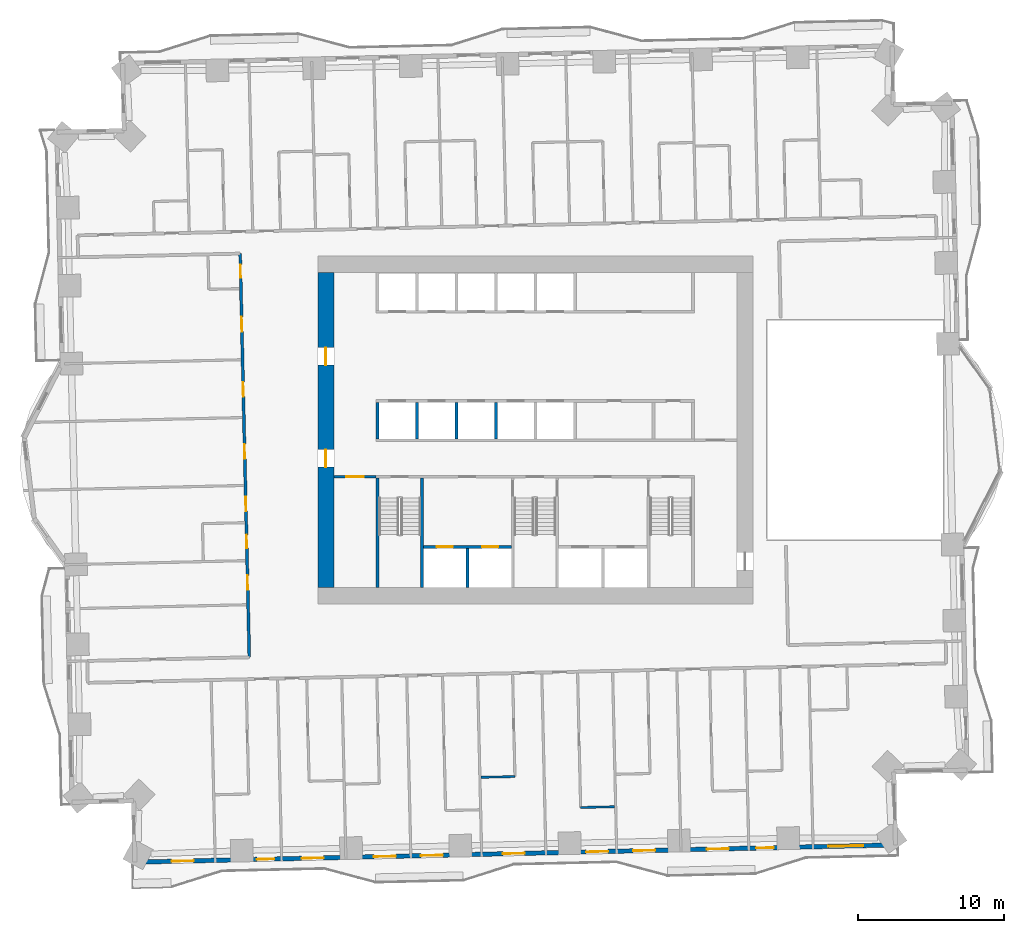
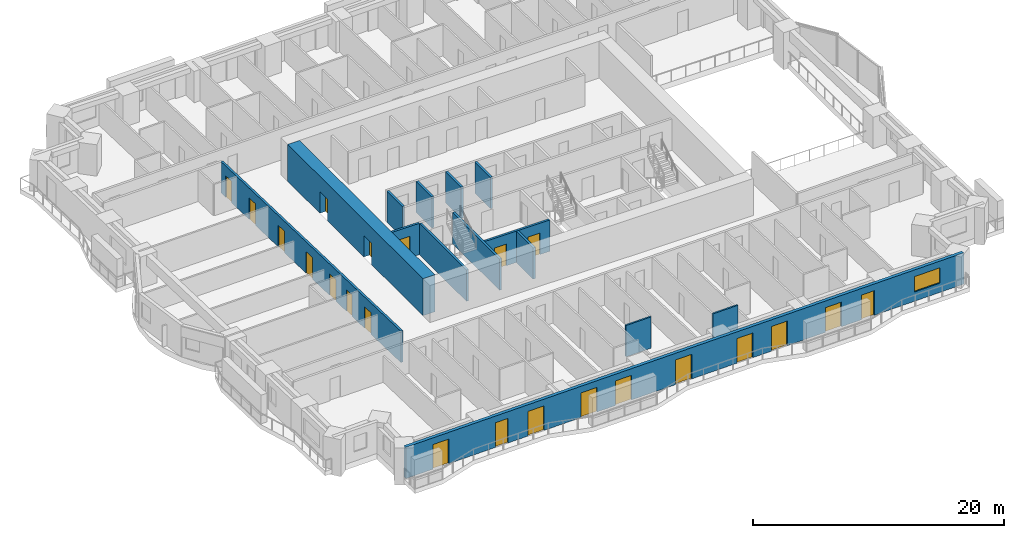
# One storey, part 6 of 16: 22 doors, 14 walls, 1 window, 23 openings.
"""IFC4 building model written with IfcOpenShell, lengths in metres."""

import ifcopenshell
import ifcopenshell.guid

model = None  # the IFC model being written
_history = None  # IfcOwnerHistory: only IFC2X3 demands one
_inside = {}  # id of a spatial element -> (the spatial element, [elements in it])
_under = {}  # id of a project, library or spatial element -> (it, [spatial elements below it])
_declared = {}  # id of a project -> (the project, [libraries it declares])
_typed = {}  # id of a type object -> (the type object, [elements of that type])
_made_of = {}  # id of a material, layer set ... -> (it, [elements and type objects made of it])


def new_model(schema):
    """Start an empty IFC model of exactly this schema.

    Asked for "IFC4X3", IfcOpenShell would pick the latest addendum, in which some entities
    have other attributes; the version numbers below select the first issue.
    IFC2X3 requires an IfcOwnerHistory on every rooted entity: one is made here for all.
    """
    global model, _history
    if schema == "IFC4X3":
        model = ifcopenshell.file(schema_version=(4, 3, 0, 0))
    else:
        model = ifcopenshell.file(schema=schema)
    _inside.clear()
    _under.clear()
    _declared.clear()
    _typed.clear()
    _made_of.clear()
    _history = None
    if model.schema == "IFC2X3":
        org = make("IfcOrganization", Name="unknown")
        user = make(
            "IfcPersonAndOrganization",
            ThePerson=make("IfcPerson", FamilyName="unknown"),
            TheOrganization=org,
        )
        app = make(
            "IfcApplication",
            ApplicationDeveloper=org,
            Version="unknown",
            ApplicationFullName="unknown",
            ApplicationIdentifier="unknown",
        )
        _history = make(
            "IfcOwnerHistory",
            OwningUser=user,
            OwningApplication=app,
            ChangeAction="ADDED",
            CreationDate=0,
        )
    return model


def make(cls, **values):
    """One entity of the class cls with the attributes given. An attribute that is None is left unset."""
    return model.create_entity(
        cls, **{name: value for name, value in values.items() if value is not None}
    )


def rooted(cls, **values):
    """An entity with a GlobalId (a new one), such as an element, a storey or a relation."""
    return make(cls, GlobalId=ifcopenshell.guid.new(), OwnerHistory=_history, **values)


def si_unit(unit_type, name, prefix=None):
    """IfcSIUnit, for example si_unit("LENGTHUNIT", "METRE", prefix="MILLI")."""
    return make("IfcSIUnit", UnitType=unit_type, Prefix=prefix, Name=name)


def assignment(units):
    """IfcUnitAssignment: the units of a project."""
    return None if units is None else make("IfcUnitAssignment", Units=units)


def point(xyz):
    """IfcCartesianPoint."""
    return None if xyz is None else make("IfcCartesianPoint", Coordinates=xyz)


def direction(xyz):
    """IfcDirection."""
    return None if xyz is None else make("IfcDirection", DirectionRatios=xyz)


def frame(location, z_axis=None, x_axis=None):
    """IfcAxis2Placement3D, a coordinate frame: its origin and axes. An axis left out is left unset."""
    return make(
        "IfcAxis2Placement3D",
        Location=point(location),
        Axis=direction(z_axis),
        RefDirection=direction(x_axis),
    )


def frame_2d(location, x_axis=None):
    """IfcAxis2Placement2D, a coordinate frame in the plane: its origin and x axis."""
    return make(
        "IfcAxis2Placement2D", Location=point(location), RefDirection=direction(x_axis)
    )


def origin():
    """The frame at (0, 0, 0) with its axes left unset."""
    return frame((0.0, 0.0, 0.0))


def place(relative_to, where):
    """IfcLocalPlacement: puts the frame where relative to a parent placement (None: the world)."""
    return make(
        "IfcLocalPlacement", PlacementRelTo=relative_to, RelativePlacement=where
    )


def context(
    kind, dimensions, precision=None, world=None, true_north=None, identifier=None
):
    """IfcGeometricRepresentationContext, for example the 3D "Model" context."""
    return make(
        "IfcGeometricRepresentationContext",
        ContextIdentifier=identifier,
        ContextType=kind,
        CoordinateSpaceDimension=dimensions,
        Precision=precision,
        WorldCoordinateSystem=world,
        TrueNorth=true_north,
    )


def subcontext(parent, identifier, kind, view, scale=None):
    """IfcGeometricRepresentationSubContext, for example "Body" below "Model"."""
    return make(
        "IfcGeometricRepresentationSubContext",
        ContextIdentifier=identifier,
        ContextType=kind,
        ParentContext=parent,
        TargetScale=scale,
        TargetView=view,
    )


def project(units=None, contexts=None):
    """IfcProject with its units and contexts."""
    return rooted(
        "IfcProject",
        Name="project",
        RepresentationContexts=contexts,
        UnitsInContext=assignment(units),
    )


def spatial(cls, under=None, at=None, **own):
    """A site, building, storey or space (cls), placed at a placement, below another one or the project."""
    s = rooted(cls, ObjectPlacement=at, **own)
    if under is not None:
        _under.setdefault(under.id(), (under, []))[1].append(s)
    return s


def profile(cls, at=None, kind="AREA", **sizes):
    """A parametric profile (cls). Its sizes go by their IFC names, for example OverallWidth=200.0."""
    return make(cls, ProfileType=kind, Position=at, **sizes)


def rectangle(**sizes):
    """IfcRectangleProfileDef."""
    return profile("IfcRectangleProfileDef", **sizes)


def extrude(swept, where, along, depth):
    """IfcExtrudedAreaSolid: the profile swept, set in the frame where, extruded along a direction by depth."""
    return make(
        "IfcExtrudedAreaSolid",
        SweptArea=swept,
        Position=where,
        ExtrudedDirection=direction(along),
        Depth=depth,
    )


def shape(context_of_items, identifier, shape_type, items):
    """IfcShapeRepresentation: the items that make up one representation, for example the "Body"."""
    return make(
        "IfcShapeRepresentation",
        ContextOfItems=context_of_items,
        RepresentationIdentifier=identifier,
        RepresentationType=shape_type,
        Items=items,
    )


def material(Name=None, Category=None):
    """IfcMaterial."""
    return make("IfcMaterial", Name=Name, Category=Category)


def layer(
    of_material, thickness, ventilated=None, Name=None, Category=None, Priority=None
):
    """IfcMaterialLayer: one layer of a wall or slab, of a material (None: an air gap)."""
    return make(
        "IfcMaterialLayer",
        Material=of_material,
        LayerThickness=thickness,
        IsVentilated=ventilated,
        Name=Name,
        Category=Category,
        Priority=Priority,
    )


def layer_set(layers, Name=None):
    """IfcMaterialLayerSet."""
    return make("IfcMaterialLayerSet", MaterialLayers=layers, LayerSetName=Name)


def made_of(thing, what):
    """Note that an element or type object is made of a material, layer set ...; save() writes the relation."""
    if what is not None:
        _made_of.setdefault(what.id(), (what, []))[1].append(thing)
    return thing


def type_object(cls, material=None, **own):
    """A type object (cls), such as IfcWallType, which elements share."""
    return made_of(rooted(cls, **own), material)


def element(
    cls,
    number,
    at=None,
    inside=None,
    cuts=None,
    type_object=None,
    material=None,
    context=None,
    identifier="Body",
    shape_type=None,
    held_by="IfcProductDefinitionShape",
    body=None,
    shapes=None,
    **own,
):
    """One element of the class cls, such as IfcWall. Its Tag is "e" and its number.

    at: its placement. inside: the storey or other place that contains it. cuts: it is an
    opening in that element (IfcRelVoidsElement). A single representation is given by context,
    identifier, shape_type and body (its items); several are given by shapes. held_by: the class
    of the entity that holds the representations. save() writes the other relations.
    """
    e = rooted(cls, Tag="e%d" % number, ObjectPlacement=at, **own)
    if body is not None:
        shapes = [shape(context, identifier, shape_type, body)]
    if shapes is not None:
        e.Representation = make(held_by, Representations=shapes)
    if inside is not None:
        _inside.setdefault(inside.id(), (inside, []))[1].append(e)
    if cuts is not None:
        rooted(
            "IfcRelVoidsElement", RelatingBuildingElement=cuts, RelatedOpeningElement=e
        )
    if type_object is not None:
        _typed.setdefault(type_object.id(), (type_object, []))[1].append(e)
    return made_of(e, material)


def fill(opening, filler):
    """IfcRelFillsElement: the door or window that sits in an opening."""
    return rooted(
        "IfcRelFillsElement",
        RelatingOpeningElement=opening,
        RelatedBuildingElement=filler,
    )


def aggregate(whole, parts):
    """IfcRelAggregates: a whole, such as a stair, and the parts it consists of."""
    return rooted("IfcRelAggregates", RelatingObject=whole, RelatedObjects=parts)


def save(model, path):
    """Write the relations noted so far, then the file.

    IfcRelAggregates (storeys below a building ...), IfcRelContainedInSpatialStructure (elements
    in a storey), IfcRelDefinesByType, IfcRelAssociatesMaterial and IfcRelDeclares: one each for
    every whole, place, type object, material and project.
    """
    for whole, parts in _under.values():
        aggregate(whole, parts)
    for where, things in _inside.values():
        rooted(
            "IfcRelContainedInSpatialStructure",
            RelatedElements=things,
            RelatingStructure=where,
        )
    for kind, things in _typed.values():
        rooted("IfcRelDefinesByType", RelatedObjects=things, RelatingType=kind)
    for what, things in _made_of.values():
        rooted("IfcRelAssociatesMaterial", RelatedObjects=things, RelatingMaterial=what)
    for by, libraries in _declared.values():
        rooted("IfcRelDeclares", RelatingContext=by, RelatedDefinitions=libraries)
    model.write(path)


model = new_model("IFC4")

# Units and contexts
model_context = context("Model", 3, precision=1e-05, world=origin(), true_north=direction((0.0, 1.0)))
body_context = subcontext(model_context, "Body", "Model", "MODEL_VIEW")
ifc_project = project(units=[si_unit("LENGTHUNIT", "METRE"), si_unit("AREAUNIT", "SQUARE_METRE"), si_unit("VOLUMEUNIT", "CUBIC_METRE"), si_unit("PLANEANGLEUNIT", "RADIAN"), si_unit("MASSUNIT", "GRAM", prefix="KILO")], contexts=[model_context])

# Site, building, storey
site_placement = place(None, origin())
site = spatial("IfcSite", under=ifc_project, at=site_placement, CompositionType="ELEMENT")
building_placement = place(site_placement, origin())
building = spatial("IfcBuilding", under=site, at=building_placement, Name="Mangrove Gate Tower", CompositionType="ELEMENT")
storey_placement = place(building_placement, frame((0.0, 0.0, 41.300048828125)))
storey = spatial("IfcBuildingStorey", under=building, at=storey_placement, Name="L09", CompositionType="ELEMENT", Elevation=41.300048828125)

# Wall, opening, door
ifc_material_1 = material(Name="Concrete C32/40", Category="concrete")
ifc_layer_1 = layer(ifc_material_1, 0.199951171875)
ifc_layer_set_1 = layer_set([ifc_layer_1], Name="Core lobby wall 200 C32/40")
wall_type_1 = type_object("IfcWallType", Name="Core lobby wall 200 C32/40", PredefinedType="STANDARD", material=ifc_layer_set_1)
wall_1_placement = place(storey_placement, frame((-13.800048828125, -3.199951171875, 0.0), z_axis=(0.0, 0.0, 1.0), x_axis=(1.0, 0.0, 0.0)))
wall_1 = element("IfcWall", 1, at=wall_1_placement, inside=storey, type_object=wall_type_1, Name="WALL-L09-CORE-34", PredefinedType="STANDARD", context=body_context, shape_type="SweptSolid", body=[
    extrude(rectangle(XDim=2.900146484375, YDim=0.199951171875, at=frame_2d((1.4501953125, 0.0))), origin(), (0.0, 0.0, 1.0), 3.050048828125),
])
opening_1_placement = place(wall_1_placement, frame((0.85009765625, 0.0, 0.0)))
opening_1 = element("IfcOpeningElement", 2, at=opening_1_placement, cuts=wall_1, Name="Opening FL12", PredefinedType="OPENING", context=body_context, shape_type="SweptSolid", body=[
    extrude(rectangle(XDim=1.199951171875, YDim=2.10009765625, at=frame_2d((0.60009765625, 1.050048828125))), frame((0.0, 0.10986328125, 0.0), z_axis=(0.0, -1.0, 0.0), x_axis=(1.0, 0.0, 0.0)), (0.0, 0.0, 1.0), 0.219970703125),
])
ifc_material_2 = material(Name="Fire-rated steel door set", Category="steel")
door_type_1 = type_object("IfcDoorType", Name="Lobby door FD60 1200x2100", OperationType="SINGLE_SWING_LEFT", PredefinedType="DOOR", material=ifc_material_2)
door_1_placement = place(opening_1_placement, origin())
door_1 = element("IfcDoor", 3, at=door_1_placement, inside=storey, type_object=door_type_1, Name="Lobby door core corridor W partition", OperationType="SINGLE_SWING_LEFT", OverallHeight=2.10009765625, OverallWidth=1.199951171875, PredefinedType="DOOR", context=body_context, shape_type="SweptSolid", body=[
    extrude(rectangle(XDim=1.199951171875, YDim=2.10009765625, at=frame_2d((0.60009765625, 1.050048828125))), frame((0.0, 0.02490234375, 0.0), z_axis=(0.0, -1.0, 0.0), x_axis=(1.0, 0.0, 0.0)), (0.0, 0.0, 1.0), 0.050048828125),
])
fill(opening_1, door_1)

# Wall, openings, doors
ifc_material_3 = material(Name="Concrete C70/85", Category="concrete")
ifc_layer_2 = layer(ifc_material_3, 0.199951171875)
ifc_layer_set_2 = layer_set([ifc_layer_2], Name="Core shaft wall 200 C70/85")
wall_type_2 = type_object("IfcWallType", Name="Core shaft wall 200 C70/85", PredefinedType="SHEAR", material=ifc_layer_set_2)
wall_2_placement = place(storey_placement, frame((-7.64990234375, -8.0, 0.0), z_axis=(0.0, 0.0, 1.0), x_axis=(1.0, 0.0, 0.0)))
wall_2 = element("IfcWall", 4, at=wall_2_placement, inside=storey, type_object=wall_type_2, Name="WALL-L09-CORE-15", PredefinedType="SHEAR", context=body_context, shape_type="SweptSolid", body=[
    extrude(rectangle(XDim=6.0, YDim=0.199951171875, at=frame_2d((3.0, 0.0))), origin(), (0.0, 0.0, 1.0), 3.050048828125),
])
opening_2_placement = place(wall_2_placement, frame((0.89990234375, 0.0, 0.0)))
opening_2 = element("IfcOpeningElement", 5, at=opening_2_placement, cuts=wall_2, Name="Opening LD", PredefinedType="OPENING", context=body_context, shape_type="SweptSolid", body=[
    extrude(rectangle(XDim=1.10009765625, YDim=2.10009765625, at=frame_2d((0.550048828125, 1.050048828125))), frame((0.0, 0.10986328125, 0.0), z_axis=(0.0, -1.0, 0.0), x_axis=(1.0, 0.0, 0.0)), (0.0, 0.0, 1.0), 0.219970703125),
])
opening_3_placement = place(wall_2_placement, frame((4.0, 0.0, 0.0)))
opening_3 = element("IfcOpeningElement", 6, at=opening_3_placement, cuts=wall_2, Name="Opening LD", PredefinedType="OPENING", context=body_context, shape_type="SweptSolid", body=[
    extrude(rectangle(XDim=1.10009765625, YDim=2.10009765625, at=frame_2d((0.550048828125, 1.050048828125))), frame((0.0, 0.10986328125, 0.0), z_axis=(0.0, -1.0, 0.0), x_axis=(1.0, 0.0, 0.0)), (0.0, 0.0, 1.0), 0.219970703125),
])
ifc_material_4 = material(Name="Stainless steel 316", Category="steel")
door_type_2 = type_object("IfcDoorType", Name="Lift landing door 1100x2100", OperationType="SLIDING_TO_LEFT", PredefinedType="DOOR", material=ifc_material_4)
door_2_placement = place(opening_2_placement, origin())
door_2 = element("IfcDoor", 7, at=door_2_placement, inside=storey, type_object=door_type_2, Name="Landing door LD SVL1", OperationType="SLIDING_TO_LEFT", OverallHeight=2.10009765625, OverallWidth=1.10009765625, PredefinedType="DOOR", context=body_context, shape_type="SweptSolid", body=[
    extrude(rectangle(XDim=1.10009765625, YDim=2.10009765625, at=frame_2d((0.550048828125, 1.050048828125))), frame((0.0, 0.02490234375, 0.0), z_axis=(0.0, -1.0, 0.0), x_axis=(1.0, 0.0, 0.0)), (0.0, 0.0, 1.0), 0.050048828125),
])
fill(opening_2, door_2)
door_3_placement = place(opening_3_placement, origin())
door_3 = element("IfcDoor", 8, at=door_3_placement, inside=storey, type_object=door_type_2, Name="Landing door LD SVL2", OperationType="SLIDING_TO_LEFT", OverallHeight=2.10009765625, OverallWidth=1.10009765625, PredefinedType="DOOR", context=body_context, shape_type="SweptSolid", body=[
    extrude(rectangle(XDim=1.10009765625, YDim=2.10009765625, at=frame_2d((0.550048828125, 1.050048828125))), frame((0.0, 0.02490234375, 0.0), z_axis=(0.0, -1.0, 0.0), x_axis=(1.0, 0.0, 0.0)), (0.0, 0.0, 1.0), 0.050048828125),
])
fill(opening_3, door_3)

# Walls
wall_3_placement = place(storey_placement, frame((-4.64990234375, -10.800048828125, 0.0), z_axis=(0.0, 0.0, 1.0), x_axis=(0.0, 1.0, 0.0)))
element("IfcWall", 9, at=wall_3_placement, inside=storey, type_object=wall_type_2, Name="WALL-L09-CORE-16", PredefinedType="SHEAR", context=body_context, shape_type="SweptSolid", body=[
    extrude(rectangle(XDim=2.699951171875, YDim=0.199951171875, at=frame_2d((1.35009765625, 0.0))), origin(), (0.0, 0.0, 1.0), 3.050048828125),
])
for number, where, z_axis, x_axis, name in (
    (10, (-10.800048828125, -0.60009765625, 0.0), (0.0, 0.0, 1.0), (0.0, 1.0, 0.0), "WALL-L09-CORE-19"),
    (11, (-8.10009765625, -0.60009765625, 0.0), (0.0, 0.0, 1.0), (0.0, 1.0, 0.0), "WALL-L09-CORE-20"),
    (12, (-5.39990234375, -0.60009765625, 0.0), (0.0, 0.0, 1.0), (0.0, 1.0, 0.0), "WALL-L09-CORE-21"),
    (13, (-2.699951171875, -0.60009765625, 0.0), (0.0, 0.0, 1.0), (0.0, 1.0, 0.0), "WALL-L09-CORE-22"),
):
    element("IfcWall", number, at=place(storey_placement, frame(where, z_axis=z_axis, x_axis=x_axis)), inside=storey, type_object=wall_type_2, Name=name, PredefinedType="SHEAR", context=body_context, shape_type="SweptSolid", body=[
        extrude(rectangle(XDim=2.5, YDim=0.199951171875, at=frame_2d((1.25, 0.0))), origin(), (0.0, 0.0, 1.0), 3.050048828125),
    ])
ifc_material_5 = material(Name="Concrete C70/85", Category="concrete")
ifc_layer_3 = layer(ifc_material_5, 0.199951171875)
ifc_layer_set_3 = layer_set([ifc_layer_3], Name="Core stair wall 200 C70/85")
wall_type_3 = type_object("IfcWallType", Name="Core stair wall 200 C70/85", PredefinedType="SHEAR", material=ifc_layer_set_3)
for number, where, z_axis, x_axis, name in (
    (14, (-10.800048828125, -10.800048828125, 0.0), (0.0, 0.0, 1.0), (0.0, 1.0, 0.0), "WALL-L09-CORE-9"),
    (15, (-7.75, -10.800048828125, 0.0), (0.0, 0.0, 1.0), (0.0, 1.0, 0.0), "WALL-L09-CORE-10"),
):
    element("IfcWall", number, at=place(storey_placement, frame(where, z_axis=z_axis, x_axis=x_axis)), inside=storey, type_object=wall_type_3, Name=name, PredefinedType="SHEAR", context=body_context, shape_type="SweptSolid", body=[
        extrude(rectangle(XDim=7.5, YDim=0.199951171875, at=frame_2d((3.75, 0.0))), origin(), (0.0, 0.0, 1.0), 3.050048828125),
    ])

# Wall, openings, doors
ifc_material_6 = material(Name="Concrete C70/85", Category="concrete")
ifc_layer_4 = layer(ifc_material_6, 1.10009765625)
ifc_layer_set_4 = layer_set([ifc_layer_4], Name="Core wall 1100 C70/85")
wall_type_4 = type_object("IfcWallType", Name="Core wall 1100 C70/85", PredefinedType="SHEAR", material=ifc_layer_set_4)
wall_4_placement = place(storey_placement, frame((-14.35009765625, -10.800048828125, 0.0), z_axis=(0.0, 0.0, 1.0), x_axis=(0.0, 1.0, 0.0)))
wall_4 = element("IfcWall", 16, at=wall_4_placement, inside=storey, type_object=wall_type_4, Name="WALL-L09-CORE-3", PredefinedType="SHEAR", context=body_context, shape_type="SweptSolid", body=[
    extrude(rectangle(XDim=21.60009765625, YDim=1.10009765625, at=frame_2d((10.800048828125, 0.0))), origin(), (0.0, 0.0, 1.0), 3.599853515625),
])
opening_4_placement = place(wall_4_placement, frame((8.25, 0.0, 0.0)))
opening_4 = element("IfcOpeningElement", 17, at=opening_4_placement, cuts=wall_4, Name="Opening CD", PredefinedType="OPENING", context=body_context, shape_type="SweptSolid", body=[
    extrude(rectangle(XDim=1.199951171875, YDim=2.10009765625, at=frame_2d((0.60009765625, 1.050048828125))), frame((0.0, 0.56005859375, 0.0), z_axis=(0.0, -1.0, 0.0), x_axis=(1.0, 0.0, 0.0)), (0.0, 0.0, 1.0), 1.1201171875),
])
opening_5_placement = place(wall_4_placement, frame((15.25, 0.0, 0.0)))
opening_5 = element("IfcOpeningElement", 18, at=opening_5_placement, cuts=wall_4, Name="Opening CD", PredefinedType="OPENING", context=body_context, shape_type="SweptSolid", body=[
    extrude(rectangle(XDim=1.199951171875, YDim=2.10009765625, at=frame_2d((0.60009765625, 1.050048828125))), frame((0.0, 0.56005859375, 0.0), z_axis=(0.0, -1.0, 0.0), x_axis=(1.0, 0.0, 0.0)), (0.0, 0.0, 1.0), 1.1201171875),
])
ifc_material_7 = material(Name="Fire-rated steel door set", Category="steel")
door_type_3 = type_object("IfcDoorType", Name="Core ring door FD60 1200x2100", OperationType="DOUBLE_DOOR_SINGLE_SWING", PredefinedType="DOOR", material=ifc_material_7)
door_4_placement = place(opening_4_placement, origin())
door_4 = element("IfcDoor", 19, at=door_4_placement, inside=storey, type_object=door_type_3, Name="Core ring door W1", OperationType="DOUBLE_DOOR_SINGLE_SWING", OverallHeight=2.10009765625, OverallWidth=1.199951171875, PredefinedType="DOOR", context=body_context, shape_type="SweptSolid", body=[
    extrude(rectangle(XDim=1.199951171875, YDim=2.10009765625, at=frame_2d((0.60009765625, 1.050048828125))), frame((0.0, 0.02490234375, 0.0), z_axis=(0.0, -1.0, 0.0), x_axis=(1.0, 0.0, 0.0)), (0.0, 0.0, 1.0), 0.050048828125),
])
fill(opening_4, door_4)
door_5_placement = place(opening_5_placement, origin())
door_5 = element("IfcDoor", 20, at=door_5_placement, inside=storey, type_object=door_type_3, Name="Core ring door W2", OperationType="DOUBLE_DOOR_SINGLE_SWING", OverallHeight=2.10009765625, OverallWidth=1.199951171875, PredefinedType="DOOR", context=body_context, shape_type="SweptSolid", body=[
    extrude(rectangle(XDim=1.199951171875, YDim=2.10009765625, at=frame_2d((0.60009765625, 1.050048828125))), frame((0.0, 0.02490234375, 0.0), z_axis=(0.0, -1.0, 0.0), x_axis=(1.0, 0.0, 0.0)), (0.0, 0.0, 1.0), 0.050048828125),
])
fill(opening_5, door_5)

ifc_material_8 = material(Name="Gypsum board on steel stud, EI 60", Category="steel")
ifc_layer_5 = layer(ifc_material_8, 0.199951171875)
ifc_layer_set_5 = layer_set([ifc_layer_5], Name="Corridor wall EI 60")
wall_type_5 = type_object("IfcWallType", Name="Corridor wall EI 60", PredefinedType="PARTITIONING", material=ifc_layer_set_5)
wall_5_placement = place(storey_placement, frame((-19.589111328125, -15.56201171875, 0.0), z_axis=(0.0, 0.0, 1.0), x_axis=(-0.02267447203, 0.999742901109, 0.0)))
wall_5 = element("IfcWall", 21, at=wall_5_placement, inside=storey, type_object=wall_type_5, Name="WALL-L09-036", PredefinedType="PARTITIONING", context=body_context, shape_type="SweptSolid", body=[
    extrude(rectangle(XDim=27.650146484375, YDim=0.199951171875, at=frame_2d((13.8251953125, 0.0))), origin(), (0.0, 0.0, 1.0), 3.050048828125),
])
opening_6_placement = place(wall_5_placement, frame((22.31298828125, 0.0, 0.0)))
opening_6 = element("IfcOpeningElement", 22, at=opening_6_placement, cuts=wall_5, Name="Opening AD", PredefinedType="OPENING", context=body_context, shape_type="SweptSolid", body=[
    extrude(rectangle(XDim=1.0, YDim=2.10009765625, at=frame_2d((0.5, 1.050048828125))), frame((0.0, 0.10986328125, 0.0), z_axis=(0.0, -1.0, 0.0), x_axis=(1.0, 0.0, 0.0)), (0.0, 0.0, 1.0), 0.219970703125),
])
opening_7_placement = place(wall_5_placement, frame((26.0, 0.0, 0.0)))
opening_7 = element("IfcOpeningElement", 23, at=opening_7_placement, cuts=wall_5, Name="Opening SD", PredefinedType="OPENING", context=body_context, shape_type="SweptSolid", body=[
    extrude(rectangle(XDim=0.89990234375, YDim=2.10009765625, at=frame_2d((0.449951171875, 1.050048828125))), frame((0.0, 0.10986328125, 0.0), z_axis=(0.0, -1.0, 0.0), x_axis=(1.0, 0.0, 0.0)), (0.0, 0.0, 1.0), 0.219970703125),
])
opening_8_placement = place(wall_5_placement, frame((17.843017578125, 0.0, 0.0)))
opening_8 = element("IfcOpeningElement", 24, at=opening_8_placement, cuts=wall_5, Name="Opening AD", PredefinedType="OPENING", context=body_context, shape_type="SweptSolid", body=[
    extrude(rectangle(XDim=1.0, YDim=2.10009765625, at=frame_2d((0.5, 1.050048828125))), frame((0.0, 0.10986328125, 0.0), z_axis=(0.0, -1.0, 0.0), x_axis=(1.0, 0.0, 0.0)), (0.0, 0.0, 1.0), 0.219970703125),
])
opening_9_placement = place(wall_5_placement, frame((13.592041015625, 0.0, 0.0)))
opening_9 = element("IfcOpeningElement", 25, at=opening_9_placement, cuts=wall_5, Name="Opening AD", PredefinedType="OPENING", context=body_context, shape_type="SweptSolid", body=[
    extrude(rectangle(XDim=1.0, YDim=2.10009765625, at=frame_2d((0.5, 1.050048828125))), frame((0.0, 0.10986328125, 0.0), z_axis=(0.0, -1.0, 0.0), x_axis=(1.0, 0.0, 0.0)), (0.0, 0.0, 1.0), 0.219970703125),
])
opening_10_placement = place(wall_5_placement, frame((10.0, 0.0, 0.0)))
opening_10 = element("IfcOpeningElement", 26, at=opening_10_placement, cuts=wall_5, Name="Opening AD", PredefinedType="OPENING", context=body_context, shape_type="SweptSolid", body=[
    extrude(rectangle(XDim=1.0, YDim=2.10009765625, at=frame_2d((0.5, 1.050048828125))), frame((0.0, 0.10986328125, 0.0), z_axis=(0.0, -1.0, 0.0), x_axis=(1.0, 0.0, 0.0)), (0.0, 0.0, 1.0), 0.219970703125),
])
opening_11_placement = place(wall_5_placement, frame((7.47509765625, 0.0, 0.0)))
opening_11 = element("IfcOpeningElement", 27, at=opening_11_placement, cuts=wall_5, Name="Opening SD", PredefinedType="OPENING", context=body_context, shape_type="SweptSolid", body=[
    extrude(rectangle(XDim=0.89990234375, YDim=2.10009765625, at=frame_2d((0.449951171875, 1.050048828125))), frame((0.0, 0.10986328125, 0.0), z_axis=(0.0, -1.0, 0.0), x_axis=(1.0, 0.0, 0.0)), (0.0, 0.0, 1.0), 0.219970703125),
])
opening_12_placement = place(wall_5_placement, frame((4.613037109375, 0.0, 0.0)))
opening_12 = element("IfcOpeningElement", 28, at=opening_12_placement, cuts=wall_5, Name="Opening AD", PredefinedType="OPENING", context=body_context, shape_type="SweptSolid", body=[
    extrude(rectangle(XDim=1.0, YDim=2.10009765625, at=frame_2d((0.5, 1.050048828125))), frame((0.0, 0.10986328125, 0.0), z_axis=(0.0, -1.0, 0.0), x_axis=(1.0, 0.0, 0.0)), (0.0, 0.0, 1.0), 0.219970703125),
])
ifc_material_9 = material(Name="Timber door leaf", Category="wood")
door_type_4 = type_object("IfcDoorType", Name="Amenity door 1000", OperationType="SINGLE_SWING_LEFT", PredefinedType="DOOR", material=ifc_material_9)
door_6_placement = place(opening_6_placement, origin())
door_6 = element("IfcDoor", 29, at=door_6_placement, inside=storey, type_object=door_type_4, Name="DOOR-L09-GAM-c5b", OperationType="SINGLE_SWING_LEFT", OverallHeight=2.10009765625, OverallWidth=1.0, PredefinedType="DOOR", context=body_context, shape_type="SweptSolid", body=[
    extrude(rectangle(XDim=1.0, YDim=2.10009765625, at=frame_2d((0.5, 1.050048828125))), frame((0.0, 0.02490234375, 0.0), z_axis=(0.0, -1.0, 0.0), x_axis=(1.0, 0.0, 0.0)), (0.0, 0.0, 1.0), 0.050048828125),
])
fill(opening_6, door_6)
door_7_placement = place(opening_8_placement, origin())
door_7 = element("IfcDoor", 30, at=door_7_placement, inside=storey, type_object=door_type_4, Name="DOOR-L09-KIT-c5a", OperationType="SINGLE_SWING_RIGHT", OverallHeight=2.10009765625, OverallWidth=1.0, PredefinedType="DOOR", context=body_context, shape_type="SweptSolid", body=[
    extrude(rectangle(XDim=1.0, YDim=2.10009765625, at=frame_2d((0.5, 1.050048828125))), frame((0.0, 0.02490234375, 0.0), z_axis=(0.0, -1.0, 0.0), x_axis=(1.0, 0.0, 0.0)), (0.0, 0.0, 1.0), 0.050048828125),
])
fill(opening_8, door_7)
door_8_placement = place(opening_9_placement, origin())
door_8 = element("IfcDoor", 31, at=door_8_placement, inside=storey, type_object=door_type_4, Name="DOOR-L09-GAM-c5c", OperationType="SINGLE_SWING_LEFT", OverallHeight=2.10009765625, OverallWidth=1.0, PredefinedType="DOOR", context=body_context, shape_type="SweptSolid", body=[
    extrude(rectangle(XDim=1.0, YDim=2.10009765625, at=frame_2d((0.5, 1.050048828125))), frame((0.0, 0.02490234375, 0.0), z_axis=(0.0, -1.0, 0.0), x_axis=(1.0, 0.0, 0.0)), (0.0, 0.0, 1.0), 0.050048828125),
])
fill(opening_9, door_8)
door_9_placement = place(opening_10_placement, origin())
door_9 = element("IfcDoor", 32, at=door_9_placement, inside=storey, type_object=door_type_4, Name="DOOR-L09-GAM-c5d", OperationType="SINGLE_SWING_RIGHT", OverallHeight=2.10009765625, OverallWidth=1.0, PredefinedType="DOOR", context=body_context, shape_type="SweptSolid", body=[
    extrude(rectangle(XDim=1.0, YDim=2.10009765625, at=frame_2d((0.5, 1.050048828125))), frame((0.0, 0.02490234375, 0.0), z_axis=(0.0, -1.0, 0.0), x_axis=(1.0, 0.0, 0.0)), (0.0, 0.0, 1.0), 0.050048828125),
])
fill(opening_10, door_9)
door_10_placement = place(opening_12_placement, origin())
door_10 = element("IfcDoor", 33, at=door_10_placement, inside=storey, type_object=door_type_4, Name="DOOR-L09-STU-c5a", OperationType="SINGLE_SWING_LEFT", OverallHeight=2.10009765625, OverallWidth=1.0, PredefinedType="DOOR", context=body_context, shape_type="SweptSolid", body=[
    extrude(rectangle(XDim=1.0, YDim=2.10009765625, at=frame_2d((0.5, 1.050048828125))), frame((0.0, 0.02490234375, 0.0), z_axis=(0.0, -1.0, 0.0), x_axis=(1.0, 0.0, 0.0)), (0.0, 0.0, 1.0), 0.050048828125),
])
fill(opening_12, door_10)
ifc_material_10 = material(Name="Timber door leaf", Category="wood")
door_type_5 = type_object("IfcDoorType", Name="Service room door 900", OperationType="SINGLE_SWING_LEFT", PredefinedType="DOOR", material=ifc_material_10)
door_11_placement = place(opening_7_placement, origin())
door_11 = element("IfcDoor", 34, at=door_11_placement, inside=storey, type_object=door_type_5, Name="DOOR-L09-LIN-c5b", OperationType="SINGLE_SWING_RIGHT", OverallHeight=2.10009765625, OverallWidth=0.89990234375, PredefinedType="DOOR", context=body_context, shape_type="SweptSolid", body=[
    extrude(rectangle(XDim=0.89990234375, YDim=2.10009765625, at=frame_2d((0.449951171875, 1.050048828125))), frame((0.0, 0.02490234375, 0.0), z_axis=(0.0, -1.0, 0.0), x_axis=(1.0, 0.0, 0.0)), (0.0, 0.0, 1.0), 0.050048828125),
])
fill(opening_7, door_11)
door_12_placement = place(opening_11_placement, origin())
door_12 = element("IfcDoor", 35, at=door_12_placement, inside=storey, type_object=door_type_5, Name="DOOR-L09-AWC-c5a", OperationType="SINGLE_SWING_LEFT", OverallHeight=2.10009765625, OverallWidth=0.89990234375, PredefinedType="DOOR", context=body_context, shape_type="SweptSolid", body=[
    extrude(rectangle(XDim=0.89990234375, YDim=2.10009765625, at=frame_2d((0.449951171875, 1.050048828125))), frame((0.0, 0.02490234375, 0.0), z_axis=(0.0, -1.0, 0.0), x_axis=(1.0, 0.0, 0.0)), (0.0, 0.0, 1.0), 0.050048828125),
])
fill(opening_11, door_12)

# Wall, openings, doors, window
ifc_material_11 = material(Name="Limestone", Category="masonry")
ifc_layer_6 = layer(ifc_material_11, 0.0400390625, Name="Limestone cladding")
ifc_material_12 = material(Name="Ventilated air gap")
ifc_layer_7 = layer(ifc_material_12, 0.0400390625, Name="Ventilated cavity")
ifc_material_13 = material(Name="Mineral wool insulation")
ifc_layer_8 = layer(ifc_material_13, 0.06005859375, Name="Insulation")
ifc_material_14 = material(Name="Breather membrane")
ifc_layer_9 = layer(ifc_material_14, 0.001953125, Name="Breather membrane")
ifc_material_15 = material(Name="Concrete C20/25 blockwork", Category="masonry")
ifc_layer_10 = layer(ifc_material_15, 0.14990234375, Name="Blockwork backing wall")
ifc_material_16 = material(Name="Gypsum plaster")
ifc_layer_11 = layer(ifc_material_16, 0.008056640625, Name="Internal plaster")
ifc_layer_set_6 = layer_set([ifc_layer_6, ifc_layer_7, ifc_layer_8, ifc_layer_9, ifc_layer_10, ifc_layer_11], Name="External wall 300 limestone cladding")
wall_type_6 = type_object("IfcWallType", Name="External wall 300 limestone cladding", PredefinedType="SOLIDWALL", material=ifc_layer_set_6)
wall_6_placement = place(storey_placement, frame((-27.423095703125, -29.593017578125, 0.0), z_axis=(0.0, 0.0, 1.0), x_axis=(0.999742563204, 0.022689365739, 0.0)))
wall_6 = element("IfcWall", 36, at=wall_6_placement, inside=storey, type_object=wall_type_6, Name="WALL-L09-S13", PredefinedType="SOLIDWALL", context=body_context, shape_type="SweptSolid", body=[
    extrude(rectangle(XDim=52.1005859375, YDim=0.300048828125, at=frame_2d((26.05029296875, 0.0))), origin(), (0.0, 0.0, 1.0), 3.050048828125),
])
opening_13_placement = place(wall_6_placement, frame((2.51708984375, 0.0, 0.0)))
opening_13 = element("IfcOpeningElement", 37, at=opening_13_placement, cuts=wall_6, Name="Opening BD1", PredefinedType="OPENING", context=body_context, shape_type="SweptSolid", body=[
    extrude(rectangle(XDim=1.5, YDim=2.39990234375, at=frame_2d((0.75, 1.199951171875))), frame((0.0, 0.159912109375, 0.0), z_axis=(0.0, -1.0, 0.0), x_axis=(1.0, 0.0, 0.0)), (0.0, 0.0, 1.0), 0.320068359375),
])
opening_14_placement = place(wall_6_placement, frame((8.35595703125, 0.0, 0.0)))
opening_14 = element("IfcOpeningElement", 38, at=opening_14_placement, cuts=wall_6, Name="Opening BD2", PredefinedType="OPENING", context=body_context, shape_type="SweptSolid", body=[
    extrude(rectangle(XDim=1.199951171875, YDim=2.39990234375, at=frame_2d((0.60009765625, 1.199951171875))), frame((0.0, 0.159912109375, 0.0), z_axis=(0.0, -1.0, 0.0), x_axis=(1.0, 0.0, 0.0)), (0.0, 0.0, 1.0), 0.320068359375),
])
opening_15_placement = place(wall_6_placement, frame((11.423095703125, 0.0, 0.0)))
opening_15 = element("IfcOpeningElement", 39, at=opening_15_placement, cuts=wall_6, Name="Opening BD1", PredefinedType="OPENING", context=body_context, shape_type="SweptSolid", body=[
    extrude(rectangle(XDim=1.5, YDim=2.39990234375, at=frame_2d((0.75, 1.199951171875))), frame((0.0, 0.159912109375, 0.0), z_axis=(0.0, -1.0, 0.0), x_axis=(1.0, 0.0, 0.0)), (0.0, 0.0, 1.0), 0.320068359375),
])
opening_16_placement = place(wall_6_placement, frame((16.373046875, 0.0, 0.0)))
opening_16 = element("IfcOpeningElement", 40, at=opening_16_placement, cuts=wall_6, Name="Opening BD1", PredefinedType="OPENING", context=body_context, shape_type="SweptSolid", body=[
    extrude(rectangle(XDim=1.5, YDim=2.39990234375, at=frame_2d((0.75, 1.199951171875))), frame((0.0, 0.159912109375, 0.0), z_axis=(0.0, -1.0, 0.0), x_axis=(1.0, 0.0, 0.0)), (0.0, 0.0, 1.0), 0.320068359375),
])
opening_17_placement = place(wall_6_placement, frame((19.591064453125, 0.0, 0.0)))
opening_17 = element("IfcOpeningElement", 41, at=opening_17_placement, cuts=wall_6, Name="Opening BD1", PredefinedType="OPENING", context=body_context, shape_type="SweptSolid", body=[
    extrude(rectangle(XDim=1.5, YDim=2.39990234375, at=frame_2d((0.75, 1.199951171875))), frame((0.0, 0.159912109375, 0.0), z_axis=(0.0, -1.0, 0.0), x_axis=(1.0, 0.0, 0.0)), (0.0, 0.0, 1.0), 0.320068359375),
])
opening_18_placement = place(wall_6_placement, frame((25.199951171875, 0.0, 0.0)))
opening_18 = element("IfcOpeningElement", 42, at=opening_18_placement, cuts=wall_6, Name="Opening BD1", PredefinedType="OPENING", context=body_context, shape_type="SweptSolid", body=[
    extrude(rectangle(XDim=1.5, YDim=2.39990234375, at=frame_2d((0.75, 1.199951171875))), frame((0.0, 0.159912109375, 0.0), z_axis=(0.0, -1.0, 0.0), x_axis=(1.0, 0.0, 0.0)), (0.0, 0.0, 1.0), 0.320068359375),
])
opening_19_placement = place(wall_6_placement, frame((30.908935546875, 0.0, 0.0)))
opening_19 = element("IfcOpeningElement", 43, at=opening_19_placement, cuts=wall_6, Name="Opening BD1", PredefinedType="OPENING", context=body_context, shape_type="SweptSolid", body=[
    extrude(rectangle(XDim=1.5, YDim=2.39990234375, at=frame_2d((0.75, 1.199951171875))), frame((0.0, 0.159912109375, 0.0), z_axis=(0.0, -1.0, 0.0), x_axis=(1.0, 0.0, 0.0)), (0.0, 0.0, 1.0), 0.320068359375),
])
opening_20_placement = place(wall_6_placement, frame((34.126953125, 0.0, 0.0)))
opening_20 = element("IfcOpeningElement", 44, at=opening_20_placement, cuts=wall_6, Name="Opening BD1", PredefinedType="OPENING", context=body_context, shape_type="SweptSolid", body=[
    extrude(rectangle(XDim=1.5, YDim=2.39990234375, at=frame_2d((0.75, 1.199951171875))), frame((0.0, 0.159912109375, 0.0), z_axis=(0.0, -1.0, 0.0), x_axis=(1.0, 0.0, 0.0)), (0.0, 0.0, 1.0), 0.320068359375),
])
opening_21_placement = place(wall_6_placement, frame((39.177001953125, 0.0, 0.0)))
opening_21 = element("IfcOpeningElement", 45, at=opening_21_placement, cuts=wall_6, Name="Opening BD1", PredefinedType="OPENING", context=body_context, shape_type="SweptSolid", body=[
    extrude(rectangle(XDim=1.5, YDim=2.39990234375, at=frame_2d((0.75, 1.199951171875))), frame((0.0, 0.159912109375, 0.0), z_axis=(0.0, -1.0, 0.0), x_axis=(1.0, 0.0, 0.0)), (0.0, 0.0, 1.0), 0.320068359375),
])
opening_22_placement = place(wall_6_placement, frame((42.5439453125, 0.0, 0.0)))
opening_22 = element("IfcOpeningElement", 46, at=opening_22_placement, cuts=wall_6, Name="Opening BD2", PredefinedType="OPENING", context=body_context, shape_type="SweptSolid", body=[
    extrude(rectangle(XDim=1.199951171875, YDim=2.39990234375, at=frame_2d((0.60009765625, 1.199951171875))), frame((0.0, 0.159912109375, 0.0), z_axis=(0.0, -1.0, 0.0), x_axis=(1.0, 0.0, 0.0)), (0.0, 0.0, 1.0), 0.320068359375),
])
opening_23_placement = place(wall_6_placement, frame((47.4970703125, 0.0, 0.89990234375)))
opening_23 = element("IfcOpeningElement", 47, at=opening_23_placement, cuts=wall_6, Name="Opening W2", PredefinedType="OPENING", context=body_context, shape_type="SweptSolid", body=[
    extrude(rectangle(XDim=2.39990234375, YDim=1.5, at=frame_2d((1.199951171875, 0.75))), frame((0.0, 0.159912109375, 0.0), z_axis=(0.0, -1.0, 0.0), x_axis=(1.0, 0.0, 0.0)), (0.0, 0.0, 1.0), 0.320068359375),
])
ifc_material_17 = material(Name="Aluminium frame with laminated clear glass", Category="aluminium")
door_type_6 = type_object("IfcDoorType", Name="Balcony sliding door 1200x2400", OperationType="SLIDING_TO_LEFT", PredefinedType="DOOR", material=ifc_material_17)
door_13_placement = place(opening_14_placement, origin())
door_13 = element("IfcDoor", 48, at=door_13_placement, inside=storey, type_object=door_type_6, Name="DOOR-L09-S13-2", OperationType="SLIDING_TO_LEFT", OverallHeight=2.39990234375, OverallWidth=1.199951171875, PredefinedType="DOOR", context=body_context, shape_type="SweptSolid", body=[
    extrude(rectangle(XDim=1.199951171875, YDim=2.39990234375, at=frame_2d((0.60009765625, 1.199951171875))), frame((0.0, 0.02490234375, 0.0), z_axis=(0.0, -1.0, 0.0), x_axis=(1.0, 0.0, 0.0)), (0.0, 0.0, 1.0), 0.050048828125),
])
fill(opening_14, door_13)
door_14_placement = place(opening_22_placement, origin())
door_14 = element("IfcDoor", 49, at=door_14_placement, inside=storey, type_object=door_type_6, Name="DOOR-L09-S13-10", OperationType="SLIDING_TO_LEFT", OverallHeight=2.39990234375, OverallWidth=1.199951171875, PredefinedType="DOOR", context=body_context, shape_type="SweptSolid", body=[
    extrude(rectangle(XDim=1.199951171875, YDim=2.39990234375, at=frame_2d((0.60009765625, 1.199951171875))), frame((0.0, 0.02490234375, 0.0), z_axis=(0.0, -1.0, 0.0), x_axis=(1.0, 0.0, 0.0)), (0.0, 0.0, 1.0), 0.050048828125),
])
fill(opening_22, door_14)
ifc_material_18 = material(Name="Aluminium frame with laminated clear glass", Category="aluminium")
door_type_7 = type_object("IfcDoorType", Name="Balcony sliding door 1500x2400", OperationType="SLIDING_TO_LEFT", PredefinedType="DOOR", material=ifc_material_18)
door_15_placement = place(opening_13_placement, origin())
door_15 = element("IfcDoor", 50, at=door_15_placement, inside=storey, type_object=door_type_7, Name="DOOR-L09-S13-1", OperationType="SLIDING_TO_LEFT", OverallHeight=2.39990234375, OverallWidth=1.5, PredefinedType="DOOR", context=body_context, shape_type="SweptSolid", body=[
    extrude(rectangle(XDim=1.5, YDim=2.39990234375, at=frame_2d((0.75, 1.199951171875))), frame((0.0, 0.02490234375, 0.0), z_axis=(0.0, -1.0, 0.0), x_axis=(1.0, 0.0, 0.0)), (0.0, 0.0, 1.0), 0.050048828125),
])
fill(opening_13, door_15)
door_16_placement = place(opening_15_placement, origin())
door_16 = element("IfcDoor", 51, at=door_16_placement, inside=storey, type_object=door_type_7, Name="DOOR-L09-S13-3", OperationType="SLIDING_TO_LEFT", OverallHeight=2.39990234375, OverallWidth=1.5, PredefinedType="DOOR", context=body_context, shape_type="SweptSolid", body=[
    extrude(rectangle(XDim=1.5, YDim=2.39990234375, at=frame_2d((0.75, 1.199951171875))), frame((0.0, 0.02490234375, 0.0), z_axis=(0.0, -1.0, 0.0), x_axis=(1.0, 0.0, 0.0)), (0.0, 0.0, 1.0), 0.050048828125),
])
fill(opening_15, door_16)
door_17_placement = place(opening_16_placement, origin())
door_17 = element("IfcDoor", 52, at=door_17_placement, inside=storey, type_object=door_type_7, Name="DOOR-L09-S13-4", OperationType="SLIDING_TO_LEFT", OverallHeight=2.39990234375, OverallWidth=1.5, PredefinedType="DOOR", context=body_context, shape_type="SweptSolid", body=[
    extrude(rectangle(XDim=1.5, YDim=2.39990234375, at=frame_2d((0.75, 1.199951171875))), frame((0.0, 0.02490234375, 0.0), z_axis=(0.0, -1.0, 0.0), x_axis=(1.0, 0.0, 0.0)), (0.0, 0.0, 1.0), 0.050048828125),
])
fill(opening_16, door_17)
door_18_placement = place(opening_17_placement, origin())
door_18 = element("IfcDoor", 53, at=door_18_placement, inside=storey, type_object=door_type_7, Name="DOOR-L09-S13-5", OperationType="SLIDING_TO_LEFT", OverallHeight=2.39990234375, OverallWidth=1.5, PredefinedType="DOOR", context=body_context, shape_type="SweptSolid", body=[
    extrude(rectangle(XDim=1.5, YDim=2.39990234375, at=frame_2d((0.75, 1.199951171875))), frame((0.0, 0.02490234375, 0.0), z_axis=(0.0, -1.0, 0.0), x_axis=(1.0, 0.0, 0.0)), (0.0, 0.0, 1.0), 0.050048828125),
])
fill(opening_17, door_18)
door_19_placement = place(opening_18_placement, origin())
door_19 = element("IfcDoor", 54, at=door_19_placement, inside=storey, type_object=door_type_7, Name="DOOR-L09-S13-6", OperationType="SLIDING_TO_LEFT", OverallHeight=2.39990234375, OverallWidth=1.5, PredefinedType="DOOR", context=body_context, shape_type="SweptSolid", body=[
    extrude(rectangle(XDim=1.5, YDim=2.39990234375, at=frame_2d((0.75, 1.199951171875))), frame((0.0, 0.02490234375, 0.0), z_axis=(0.0, -1.0, 0.0), x_axis=(1.0, 0.0, 0.0)), (0.0, 0.0, 1.0), 0.050048828125),
])
fill(opening_18, door_19)
door_20_placement = place(opening_19_placement, origin())
door_20 = element("IfcDoor", 55, at=door_20_placement, inside=storey, type_object=door_type_7, Name="DOOR-L09-S13-7", OperationType="SLIDING_TO_LEFT", OverallHeight=2.39990234375, OverallWidth=1.5, PredefinedType="DOOR", context=body_context, shape_type="SweptSolid", body=[
    extrude(rectangle(XDim=1.5, YDim=2.39990234375, at=frame_2d((0.75, 1.199951171875))), frame((0.0, 0.02490234375, 0.0), z_axis=(0.0, -1.0, 0.0), x_axis=(1.0, 0.0, 0.0)), (0.0, 0.0, 1.0), 0.050048828125),
])
fill(opening_19, door_20)
door_21_placement = place(opening_20_placement, origin())
door_21 = element("IfcDoor", 56, at=door_21_placement, inside=storey, type_object=door_type_7, Name="DOOR-L09-S13-8", OperationType="SLIDING_TO_LEFT", OverallHeight=2.39990234375, OverallWidth=1.5, PredefinedType="DOOR", context=body_context, shape_type="SweptSolid", body=[
    extrude(rectangle(XDim=1.5, YDim=2.39990234375, at=frame_2d((0.75, 1.199951171875))), frame((0.0, 0.02490234375, 0.0), z_axis=(0.0, -1.0, 0.0), x_axis=(1.0, 0.0, 0.0)), (0.0, 0.0, 1.0), 0.050048828125),
])
fill(opening_20, door_21)
door_22_placement = place(opening_21_placement, origin())
door_22 = element("IfcDoor", 57, at=door_22_placement, inside=storey, type_object=door_type_7, Name="DOOR-L09-S13-9", OperationType="SLIDING_TO_LEFT", OverallHeight=2.39990234375, OverallWidth=1.5, PredefinedType="DOOR", context=body_context, shape_type="SweptSolid", body=[
    extrude(rectangle(XDim=1.5, YDim=2.39990234375, at=frame_2d((0.75, 1.199951171875))), frame((0.0, 0.02490234375, 0.0), z_axis=(0.0, -1.0, 0.0), x_axis=(1.0, 0.0, 0.0)), (0.0, 0.0, 1.0), 0.050048828125),
])
fill(opening_21, door_22)
ifc_material_19 = material(Name="Aluminium frame with double-glazed low-e glass", Category="aluminium")
window_type = type_object("IfcWindowType", Name="Corner room window 2400x1500", PartitioningType="DOUBLE_PANEL_VERTICAL", PredefinedType="WINDOW", material=ifc_material_19)
window_placement = place(opening_23_placement, origin())
window = element("IfcWindow", 58, at=window_placement, inside=storey, type_object=window_type, Name="WIN-L09-S13-11", OverallHeight=1.5, OverallWidth=2.39990234375, PartitioningType="DOUBLE_PANEL_VERTICAL", PredefinedType="WINDOW", context=body_context, shape_type="SweptSolid", body=[
    extrude(rectangle(XDim=2.39990234375, YDim=1.5, at=frame_2d((1.199951171875, 0.75))), frame((0.0, 0.030029296875, 0.0), z_axis=(0.0, -1.0, 0.0), x_axis=(1.0, 0.0, 0.0)), (0.0, 0.0, 1.0), 0.06005859375),
])
fill(opening_23, window)

# Walls
ifc_material_20 = material(Name="Gypsum board on steel stud, EI 60", Category="steel")
ifc_layer_12 = layer(ifc_material_20, 0.14990234375)
ifc_layer_set_7 = layer_set([ifc_layer_12], Name="Party wall 150 EI 60")
wall_type_7 = type_object("IfcWallType", Name="Party wall 150 EI 60", PredefinedType="PARTITIONING", material=ifc_layer_set_7)
wall_7_placement = place(storey_placement, frame((3.10009765625, -25.85009765625, 0.0), z_axis=(0.0, 0.0, 1.0), x_axis=(0.999740478815, 0.022781023197, 0.0)))
element("IfcWall", 59, at=wall_7_placement, inside=storey, type_object=wall_type_7, Name="WALL-L09-013", PredefinedType="PARTITIONING", context=body_context, shape_type="SweptSolid", body=[
    extrude(rectangle(XDim=2.325439453125, YDim=0.14990234375, at=frame_2d((1.16259765625, 0.0))), origin(), (0.0, 0.0, 1.0), 3.050048828125),
])
wall_8_placement = place(storey_placement, frame((-3.722900390625, -23.783935546875, 0.0), z_axis=(0.0, 0.0, 1.0), x_axis=(0.999740260747, 0.02279059109, 0.0)))
element("IfcWall", 60, at=wall_8_placement, inside=storey, type_object=wall_type_7, Name="WALL-L09-023", PredefinedType="PARTITIONING", context=body_context, shape_type="SweptSolid", body=[
    extrude(rectangle(XDim=2.324462890625, YDim=0.14990234375, at=frame_2d((1.162109375, 0.0))), origin(), (0.0, 0.0, 1.0), 3.050048828125),
])

save(model, "model.ifc")
